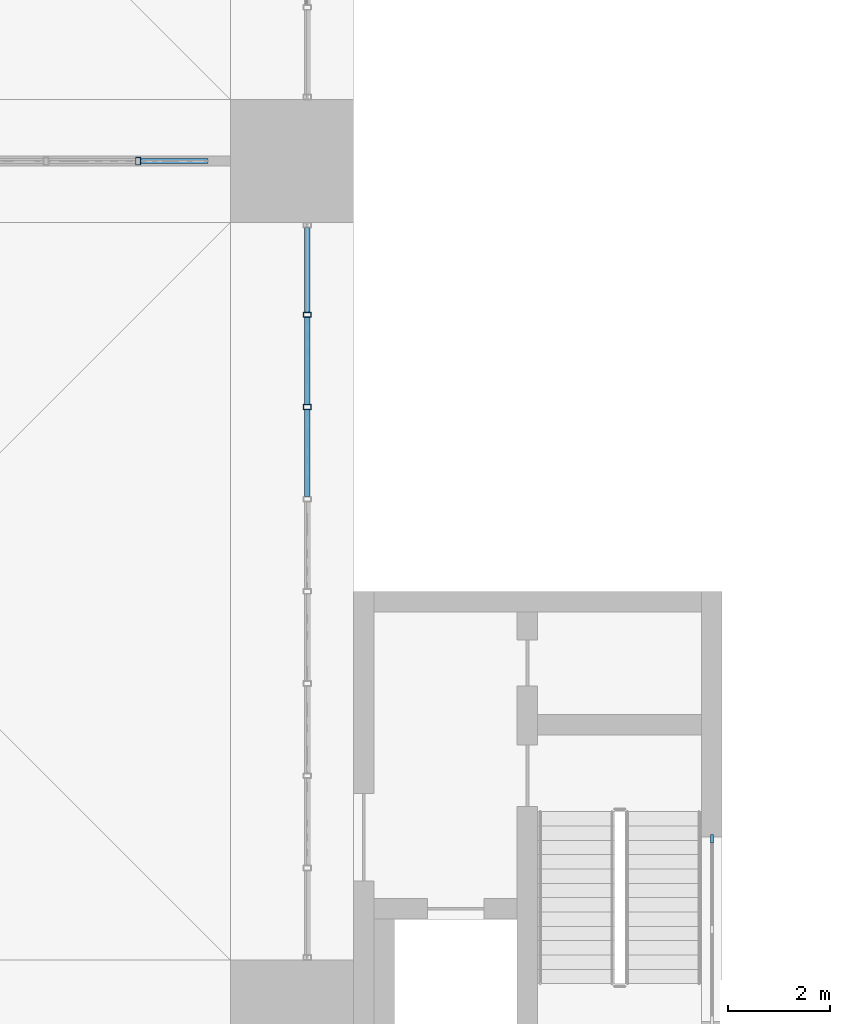
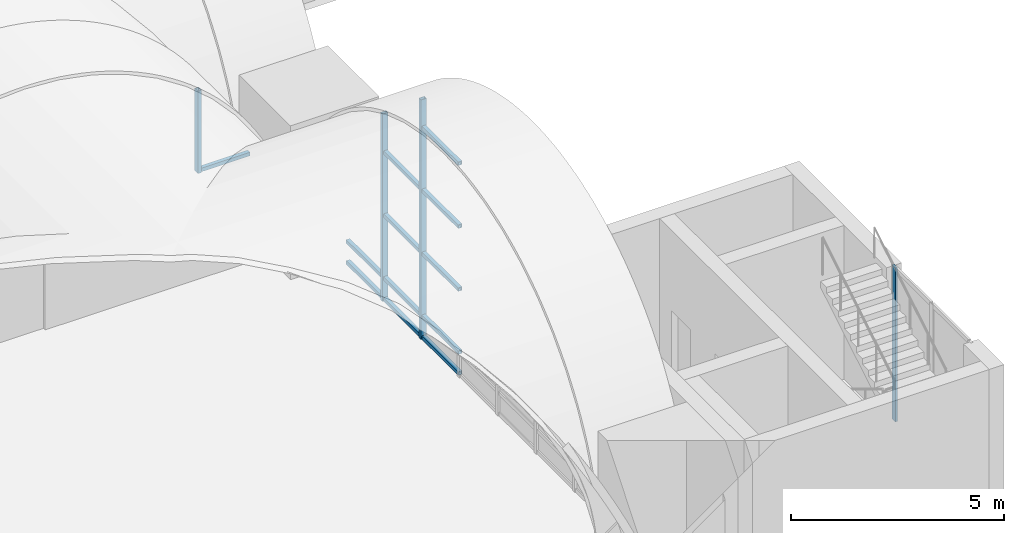
# One storey, part 54 of 169: 16 members, 3 elements without a shape of their own.
"""IFC4 building model written with IfcOpenShell, lengths in metres."""

from ifc_helpers import new_model, si_unit, direction, frame, origin, origin_2d, place, context, subcontext, project, spatial, rectangle, hollow_rectangle, extrude, material, layer, layer_set, material_profile, profile_set, type_object, element, aggregate, save


model = new_model("IFC4")

# Units and contexts
model_context = context("Model", 3, precision=1e-05, world=origin(), true_north=direction((0.0, 1.0)))
body_context = subcontext(model_context, "Body", "Model", "MODEL_VIEW")
ifc_project = project(units=[si_unit("LENGTHUNIT", "METRE"), si_unit("AREAUNIT", "SQUARE_METRE"), si_unit("VOLUMEUNIT", "CUBIC_METRE"), si_unit("PLANEANGLEUNIT", "RADIAN"), si_unit("MASSUNIT", "GRAM", prefix="KILO")], contexts=[model_context])

# Site, building, storey
site_placement = place(None, origin())
site = spatial("IfcSite", under=ifc_project, at=site_placement, CompositionType="ELEMENT")
building_placement = place(site_placement, origin())
building = spatial("IfcBuilding", under=site, at=building_placement, Name="Verrick Yard Athletic Hall", CompositionType="ELEMENT")
storey_placement = place(building_placement, frame((0.0, 0.0, 4.39990234375)))
storey = spatial("IfcBuildingStorey", under=building, at=storey_placement, Name="L01", CompositionType="ELEMENT", Elevation=4.39990234375)

# Curtain wall, member
ifc_material_1 = material(Name="Aluminium 6063-T5", Category="aluminium")
curtain_wall_type_1 = type_object("IfcCurtainWallType", Name="Core glazing strip", PredefinedType="NOTDEFINED", material=ifc_material_1)
curtain_wall_1_placement = place(storey_placement, origin())
curtain_wall_1 = element("IfcCurtainWall", 1, at=curtain_wall_1_placement, inside=storey, type_object=curtain_wall_type_1, Name="CORE-CB3-CW-L01", PredefinedType="NOTDEFINED")
ifc_material_profile_1 = material_profile(ifc_material_1, rectangle(XDim=0.06005859375, YDim=0.159912109375, at=origin_2d()), Name="Core glazing mullion 60x160")
ifc_profile_set_1 = profile_set([ifc_material_profile_1], Name="Aluminium 6063-T5")
member_type_1 = type_object("IfcMemberType", Name="Core glazing mullion 60x160", PredefinedType="MULLION", material=ifc_profile_set_1)
member_1_placement = place(storey_placement, frame((165.800048828125, 22.77001953125, 0.0), z_axis=(0.0, 0.0, 1.0), x_axis=(-1.0, 0.0, 0.0)))
member_1 = element("IfcMember", 2, at=member_1_placement, type_object=member_type_1, Name="CW5 mullion 3", PredefinedType="MULLION", context=body_context, shape_type="SweptSolid", body=[
    extrude(rectangle(XDim=0.06005859375, YDim=0.159912109375, at=origin_2d()), origin(), (0.0, 0.0, 1.0), 4.400146484375),
])
aggregate(curtain_wall_1, [member_1])

ifc_material_2 = material(Name="Aluminium and glass curtain wall", Category="aluminium")
ifc_layer_1 = layer(ifc_material_2, 0.14990234375)
ifc_layer_set_1 = layer_set([ifc_layer_1], Name="Concourse door screen arch")
curtain_wall_type_2 = type_object("IfcCurtainWallType", Name="Concourse door screen arch", PredefinedType="NOTDEFINED", material=ifc_layer_set_1)
curtain_wall_2_placement = place(storey_placement, origin())
curtain_wall_2 = element("IfcCurtainWall", 3, at=curtain_wall_2_placement, inside=storey, type_object=curtain_wall_type_2, Name="Concourse screen 7", PredefinedType="NOTDEFINED")
ifc_material_3 = material(Name="Structural steel HSS Class C 350W (CSA G40.20/G40.21)", Category="steel")
ifc_material_profile_2 = material_profile(ifc_material_3, hollow_rectangle(XDim=0.1015625, YDim=0.15234375, WallThickness=0.008056640625, at=origin_2d()), Name="HSS152x102x7.9")
ifc_profile_set_2 = profile_set([ifc_material_profile_2], Name="Structural steel HSS Class C 350W (CSA G40.20/G40.21)")
member_type_2 = type_object("IfcMemberType", Name="Curtain wall mullion HSS152x102x7.9", PredefinedType="MULLION", material=ifc_profile_set_2)
member_2_placement = place(storey_placement, frame((154.60009765625, 36.0, 3.0), z_axis=(0.0, 0.0, 1.0), x_axis=(1.0, 0.0, 0.0)))
member_2 = element("IfcMember", 4, at=member_2_placement, type_object=member_type_2, Name="Concourse screen 7 mullion 7", PredefinedType="MULLION", context=body_context, shape_type="SweptSolid", body=[
    extrude(hollow_rectangle(XDim=0.1015625, YDim=0.15234375, WallThickness=0.008056640625, at=origin_2d()), origin(), (0.0, 0.0, 1.0), 2.351806640625),
])

# Curtain wall, members
ifc_layer_2 = layer(ifc_material_2, 0.14990234375)
ifc_layer_set_2 = layer_set([ifc_layer_2], Name="East end glazing arch")
curtain_wall_type_3 = type_object("IfcCurtainWallType", Name="East end glazing arch", PredefinedType="NOTDEFINED", material=ifc_layer_set_2)
curtain_wall_3_placement = place(storey_placement, origin())
curtain_wall_3 = element("IfcCurtainWall", 5, at=curtain_wall_3_placement, inside=storey, type_object=curtain_wall_type_3, Name="East end glazing 1", PredefinedType="NOTDEFINED")
member_3_placement = place(storey_placement, frame((157.89990234375, 31.199951171875, 0.0), z_axis=(0.0, 0.0, 1.0), x_axis=(0.0, 1.0, 0.0)))
member_3 = element("IfcMember", 6, at=member_3_placement, type_object=member_type_2, Name="East end glazing 1 mullion 7", PredefinedType="MULLION", context=body_context, shape_type="SweptSolid", body=[
    extrude(hollow_rectangle(XDim=0.1015625, YDim=0.15234375, WallThickness=0.008056640625, at=origin_2d()), origin(), (0.0, 0.0, 1.0), 6.8544921875),
])
member_4_placement = place(storey_placement, frame((157.89990234375, 33.0, 0.0), z_axis=(0.0, 0.0, 1.0), x_axis=(0.0, 1.0, 0.0)))
member_4 = element("IfcMember", 7, at=member_4_placement, type_object=member_type_2, Name="East end glazing 1 mullion 8", PredefinedType="MULLION", context=body_context, shape_type="SweptSolid", body=[
    extrude(hollow_rectangle(XDim=0.1015625, YDim=0.15234375, WallThickness=0.008056640625, at=origin_2d()), origin(), (0.0, 0.0, 1.0), 5.351806640625),
])

# Member
ifc_material_profile_3 = material_profile(ifc_material_3, hollow_rectangle(XDim=0.1015625, YDim=0.1015625, WallThickness=0.00634765625, at=origin_2d()), Name="HSS102x102x6.4")
ifc_profile_set_3 = profile_set([ifc_material_profile_3], Name="Structural steel HSS Class C 350W (CSA G40.20/G40.21)")
member_type_3 = type_object("IfcMemberType", Name="Curtain wall transom HSS102x102x6.4", PredefinedType="USERDEFINED", material=ifc_profile_set_3)
member_5_placement = place(storey_placement, frame((154.65087890625, 36.0, 3.05078125), z_axis=(1.0, 0.0, 0.0), x_axis=(0.0, 1.0, 0.0)))
member_5 = element("IfcMember", 8, at=member_5_placement, type_object=member_type_3, Name="Concourse screen 7 transom 18", ObjectType="TRANSOM", PredefinedType="USERDEFINED", context=body_context, shape_type="SweptSolid", body=[
    extrude(hollow_rectangle(XDim=0.1015625, YDim=0.1015625, WallThickness=0.00634765625, at=origin_2d()), origin(), (0.0, 0.0, 1.0), 1.316650390625),
])

aggregate(curtain_wall_2, [member_2, member_5])

member_6_placement = place(storey_placement, frame((157.89990234375, 29.45068359375, 0.05078125), z_axis=(0.0, 1.0, 0.0), x_axis=(-1.0, 0.0, 0.0)))
member_6 = element("IfcMember", 9, at=member_6_placement, type_object=member_type_3, Name="East end glazing 1 transom 22", ObjectType="TRANSOM", PredefinedType="USERDEFINED", context=body_context, shape_type="SweptSolid", body=[
    extrude(hollow_rectangle(XDim=0.1015625, YDim=0.1015625, WallThickness=0.00634765625, at=origin_2d()), origin(), (0.0, 0.0, 1.0), 1.698486328125),
])

member_7_placement = place(storey_placement, frame((157.89990234375, 29.45068359375, 0.650146484375), z_axis=(0.0, 1.0, 0.0), x_axis=(-1.0, 0.0, 0.0)))
member_7 = element("IfcMember", 10, at=member_7_placement, type_object=member_type_3, Name="East end glazing 1 transom 23", ObjectType="TRANSOM", PredefinedType="USERDEFINED", context=body_context, shape_type="SweptSolid", body=[
    extrude(hollow_rectangle(XDim=0.1015625, YDim=0.1015625, WallThickness=0.00634765625, at=origin_2d()), origin(), (0.0, 0.0, 1.0), 1.698486328125),
])

member_8_placement = place(storey_placement, frame((157.89990234375, 29.45068359375, 2.4501953125), z_axis=(0.0, 1.0, 0.0), x_axis=(-1.0, 0.0, 0.0)))
member_8 = element("IfcMember", 11, at=member_8_placement, type_object=member_type_3, Name="East end glazing 1 transom 24", ObjectType="TRANSOM", PredefinedType="USERDEFINED", context=body_context, shape_type="SweptSolid", body=[
    extrude(hollow_rectangle(XDim=0.1015625, YDim=0.1015625, WallThickness=0.00634765625, at=origin_2d()), origin(), (0.0, 0.0, 1.0), 1.698486328125),
])

member_9_placement = place(storey_placement, frame((157.89990234375, 29.45068359375, 4.25), z_axis=(0.0, 1.0, 0.0), x_axis=(-1.0, 0.0, 0.0)))
member_9 = element("IfcMember", 12, at=member_9_placement, type_object=member_type_3, Name="East end glazing 1 transom 25", ObjectType="TRANSOM", PredefinedType="USERDEFINED", context=body_context, shape_type="SweptSolid", body=[
    extrude(hollow_rectangle(XDim=0.1015625, YDim=0.1015625, WallThickness=0.00634765625, at=origin_2d()), origin(), (0.0, 0.0, 1.0), 1.698486328125),
])

member_10_placement = place(storey_placement, frame((157.89990234375, 29.45068359375, 6.050048828125), z_axis=(0.0, 1.0, 0.0), x_axis=(-1.0, 0.0, 0.0)))
member_10 = element("IfcMember", 13, at=member_10_placement, type_object=member_type_3, Name="East end glazing 1 transom 26", ObjectType="TRANSOM", PredefinedType="USERDEFINED", context=body_context, shape_type="SweptSolid", body=[
    extrude(hollow_rectangle(XDim=0.1015625, YDim=0.1015625, WallThickness=0.00634765625, at=origin_2d()), origin(), (0.0, 0.0, 1.0), 1.698486328125),
])

member_11_placement = place(storey_placement, frame((157.89990234375, 31.250732421875, 0.05078125), z_axis=(0.0, 1.0, 0.0), x_axis=(-1.0, 0.0, 0.0)))
member_11 = element("IfcMember", 14, at=member_11_placement, type_object=member_type_3, Name="East end glazing 1 transom 27", ObjectType="TRANSOM", PredefinedType="USERDEFINED", context=body_context, shape_type="SweptSolid", body=[
    extrude(hollow_rectangle(XDim=0.1015625, YDim=0.1015625, WallThickness=0.00634765625, at=origin_2d()), origin(), (0.0, 0.0, 1.0), 1.698486328125),
])

member_12_placement = place(storey_placement, frame((157.89990234375, 31.250732421875, 0.650146484375), z_axis=(0.0, 1.0, 0.0), x_axis=(-1.0, 0.0, 0.0)))
member_12 = element("IfcMember", 15, at=member_12_placement, type_object=member_type_3, Name="East end glazing 1 transom 28", ObjectType="TRANSOM", PredefinedType="USERDEFINED", context=body_context, shape_type="SweptSolid", body=[
    extrude(hollow_rectangle(XDim=0.1015625, YDim=0.1015625, WallThickness=0.00634765625, at=origin_2d()), origin(), (0.0, 0.0, 1.0), 1.698486328125),
])

member_13_placement = place(storey_placement, frame((157.89990234375, 31.250732421875, 2.4501953125), z_axis=(0.0, 1.0, 0.0), x_axis=(-1.0, 0.0, 0.0)))
member_13 = element("IfcMember", 16, at=member_13_placement, type_object=member_type_3, Name="East end glazing 1 transom 29", ObjectType="TRANSOM", PredefinedType="USERDEFINED", context=body_context, shape_type="SweptSolid", body=[
    extrude(hollow_rectangle(XDim=0.1015625, YDim=0.1015625, WallThickness=0.00634765625, at=origin_2d()), origin(), (0.0, 0.0, 1.0), 1.698486328125),
])

member_14_placement = place(storey_placement, frame((157.89990234375, 31.250732421875, 4.25), z_axis=(0.0, 1.0, 0.0), x_axis=(-1.0, 0.0, 0.0)))
member_14 = element("IfcMember", 17, at=member_14_placement, type_object=member_type_3, Name="East end glazing 1 transom 30", ObjectType="TRANSOM", PredefinedType="USERDEFINED", context=body_context, shape_type="SweptSolid", body=[
    extrude(hollow_rectangle(XDim=0.1015625, YDim=0.1015625, WallThickness=0.00634765625, at=origin_2d()), origin(), (0.0, 0.0, 1.0), 1.698486328125),
])

member_15_placement = place(storey_placement, frame((157.89990234375, 33.05078125, 0.05078125), z_axis=(0.0, 1.0, 0.0), x_axis=(-1.0, 0.0, 0.0)))
member_15 = element("IfcMember", 18, at=member_15_placement, type_object=member_type_3, Name="East end glazing 1 transom 31", ObjectType="TRANSOM", PredefinedType="USERDEFINED", context=body_context, shape_type="SweptSolid", body=[
    extrude(hollow_rectangle(XDim=0.1015625, YDim=0.1015625, WallThickness=0.00634765625, at=origin_2d()), origin(), (0.0, 0.0, 1.0), 1.647216796875),
])

member_16_placement = place(storey_placement, frame((157.89990234375, 33.05078125, 0.650146484375), z_axis=(0.0, 1.0, 0.0), x_axis=(-1.0, 0.0, 0.0)))
member_16 = element("IfcMember", 19, at=member_16_placement, type_object=member_type_3, Name="East end glazing 1 transom 32", ObjectType="TRANSOM", PredefinedType="USERDEFINED", context=body_context, shape_type="SweptSolid", body=[
    extrude(hollow_rectangle(XDim=0.1015625, YDim=0.1015625, WallThickness=0.00634765625, at=origin_2d()), origin(), (0.0, 0.0, 1.0), 1.647216796875),
])

aggregate(curtain_wall_3, [member_3, member_4, member_6, member_7, member_8, member_9, member_10, member_11, member_12, member_13, member_14, member_15, member_16])

save(model, "model.ifc")
